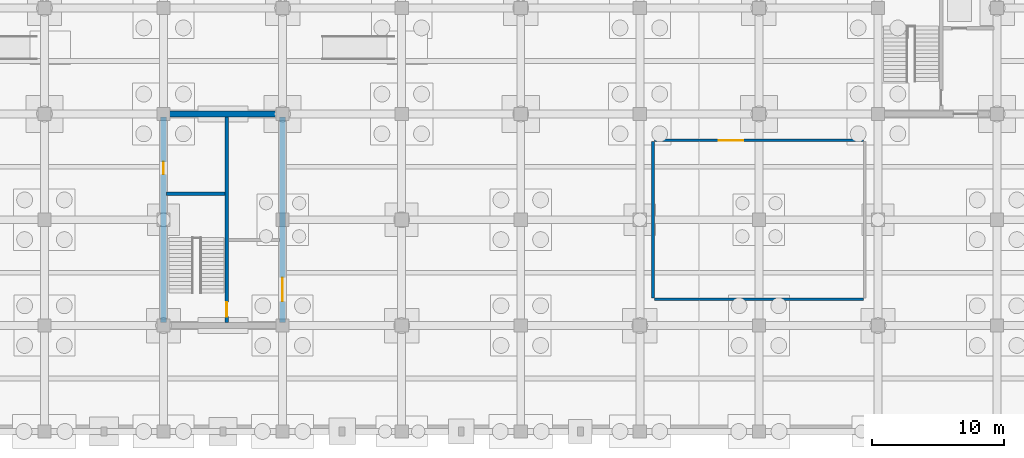
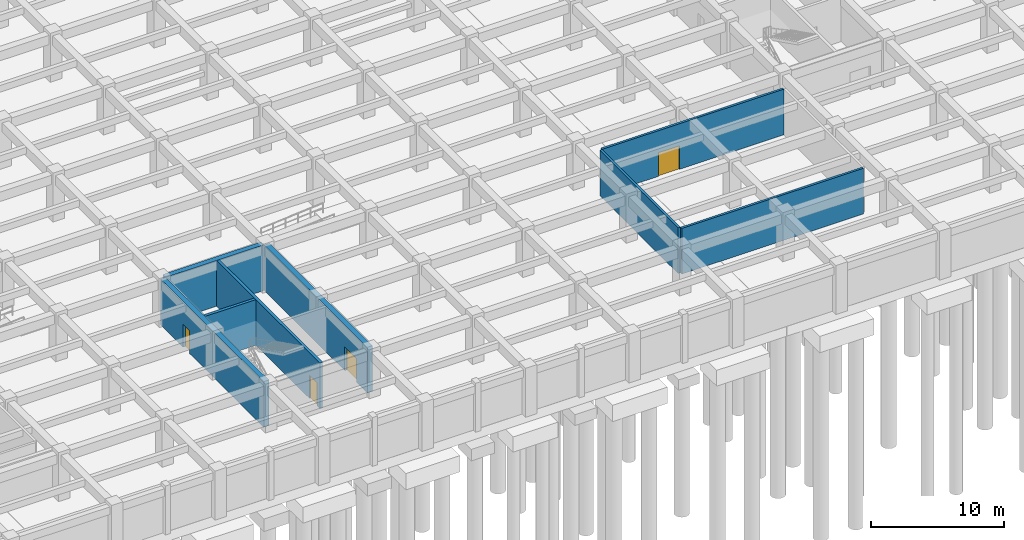
# One storey, part 20 of 31: 8 walls, 4 doors, 4 openings.
"""IFC4 building model written with IfcOpenShell, lengths in metres."""

from ifc_helpers import new_model, si_unit, direction, frame, frame_2d, origin, place, context, subcontext, project, spatial, rectangle, extrude, material, layer, layer_set, type_object, element, fill, save


model = new_model("IFC4")

# Units and contexts
model_context = context("Model", 3, precision=1e-05, world=origin(), true_north=direction((0.0, 1.0)))
body_context = subcontext(model_context, "Body", "Model", "MODEL_VIEW")
ifc_project = project(units=[si_unit("LENGTHUNIT", "METRE"), si_unit("AREAUNIT", "SQUARE_METRE"), si_unit("VOLUMEUNIT", "CUBIC_METRE"), si_unit("PLANEANGLEUNIT", "RADIAN"), si_unit("MASSUNIT", "GRAM", prefix="KILO")], contexts=[model_context])

# Site, building, storey
site_placement = place(None, origin())
site = spatial("IfcSite", under=ifc_project, at=site_placement, CompositionType="ELEMENT")
building_placement = place(site_placement, origin())
building = spatial("IfcBuilding", under=site, at=building_placement, Name="Zaverband Oceanarium and Marine Research Institute", CompositionType="ELEMENT")
storey_placement = place(building_placement, frame((0.0, 0.0, -9.0)))
storey = spatial("IfcBuildingStorey", under=building, at=storey_placement, Name="B2", CompositionType="ELEMENT", Elevation=-9.0)

# Wall
ifc_material_1 = material(Name="Concrete C50/60", Category="concrete")
ifc_layer_1 = layer(ifc_material_1, 0.449951171875, Name="Concrete C50/60")
ifc_layer_set_1 = layer_set([ifc_layer_1], Name="Concrete C50/60")
wall_type_1 = type_object("IfcWallType", Name="CW-02", PredefinedType="SHEAR", material=ifc_layer_set_1)
wall_1_placement = place(storey_placement, frame((81.22509765625, 24.0, 0.0), z_axis=(0.0, 0.0, 1.0), x_axis=(1.0, 0.0, 0.0)))
element("IfcWall", 1, at=wall_1_placement, inside=storey, type_object=wall_type_1, Name="Structural shear wall CW-02", PredefinedType="SHEAR", context=body_context, shape_type="SweptSolid", body=[
    extrude(rectangle(XDim=8.5498046875, YDim=0.449951171875, at=frame_2d((4.27490234375, 0.0))), origin(), (0.0, 0.0, 1.0), 4.199951171875),
])

# Wall, opening, door
wall_2_placement = place(storey_placement, frame((81.0, 8.22509765625, 0.0), z_axis=(0.0, 0.0, 1.0), x_axis=(0.0, 1.0, 0.0)))
wall_2 = element("IfcWall", 2, at=wall_2_placement, inside=storey, type_object=wall_type_1, Name="Structural shear wall CW-02", PredefinedType="SHEAR", context=body_context, shape_type="SweptSolid", body=[
    extrude(rectangle(XDim=15.5498046875, YDim=0.449951171875, at=frame_2d((7.77490234375, 0.0))), origin(), (0.0, 0.0, 1.0), 4.199951171875),
])
opening_1_placement = place(wall_2_placement, frame((11.199951171875, 0.0, 0.0)))
opening_1 = element("IfcOpeningElement", 3, at=opening_1_placement, cuts=wall_2, Name="Opening FD-03", PredefinedType="OPENING", context=body_context, shape_type="SweptSolid", body=[
    extrude(rectangle(XDim=0.949951171875, YDim=2.10009765625, at=frame_2d((0.47509765625, 1.050048828125))), frame((0.0, 0.23681640625, 0.0), z_axis=(0.0, -1.0, 0.0), x_axis=(1.0, 0.0, 0.0)), (0.0, 0.0, 1.0), 0.473876953125),
])
ifc_material_2 = material(Name="Steel S355", Category="steel")
door_type_1 = type_object("IfcDoorType", Name="FD-03", OperationType="NOTDEFINED", PredefinedType="DOOR", material=ifc_material_2)
door_1_placement = place(opening_1_placement, origin())
door_1 = element("IfcDoor", 4, at=door_1_placement, inside=storey, type_object=door_type_1, Name="Service riser access fire door FD-03", OperationType="SINGLE_SWING_RIGHT", OverallHeight=2.10009765625, OverallWidth=0.949951171875, PredefinedType="DOOR", context=body_context, shape_type="SweptSolid", body=[
    extrude(rectangle(XDim=0.949951171875, YDim=2.10009765625, at=frame_2d((0.47509765625, 1.050048828125))), frame((0.0, 0.02490234375, 0.0), z_axis=(0.0, -1.0, 0.0), x_axis=(1.0, 0.0, 0.0)), (0.0, 0.0, 1.0), 0.050048828125),
])
fill(opening_1, door_1)

wall_3_placement = place(storey_placement, frame((90.0, 8.22509765625, 0.0), z_axis=(0.0, 0.0, 1.0), x_axis=(0.0, 1.0, 0.0)))
wall_3 = element("IfcWall", 5, at=wall_3_placement, inside=storey, type_object=wall_type_1, Name="Structural shear wall CW-02", PredefinedType="SHEAR", context=body_context, shape_type="SweptSolid", body=[
    extrude(rectangle(XDim=15.5498046875, YDim=0.449951171875, at=frame_2d((7.77490234375, 0.0))), origin(), (0.0, 0.0, 1.0), 4.199951171875),
])
opening_2_placement = place(wall_3_placement, frame((1.60009765625, 0.0, 0.0)))
opening_2 = element("IfcOpeningElement", 6, at=opening_2_placement, cuts=wall_3, Name="Opening FD-02", PredefinedType="OPENING", context=body_context, shape_type="SweptSolid", body=[
    extrude(rectangle(XDim=1.800048828125, YDim=2.179931640625, at=frame_2d((0.89990234375, 1.08984375))), frame((0.0, 0.23681640625, 0.0), z_axis=(0.0, -1.0, 0.0), x_axis=(1.0, 0.0, 0.0)), (0.0, 0.0, 1.0), 0.473876953125),
])
door_type_2 = type_object("IfcDoorType", Name="FD-02", OperationType="DOUBLE_DOOR_SINGLE_SWING", PredefinedType="DOOR", material=ifc_material_2)
door_2_placement = place(opening_2_placement, origin())
door_2 = element("IfcDoor", 7, at=door_2_placement, inside=storey, type_object=door_type_2, Name="Protected lobby double fire door FD-02", OperationType="DOUBLE_DOOR_SINGLE_SWING", OverallHeight=2.179931640625, OverallWidth=1.800048828125, PredefinedType="DOOR", context=body_context, shape_type="SweptSolid", body=[
    extrude(rectangle(XDim=1.800048828125, YDim=2.179931640625, at=frame_2d((0.89990234375, 1.08984375))), frame((0.0, 0.02490234375, 0.0), z_axis=(0.0, -1.0, 0.0), x_axis=(1.0, 0.0, 0.0)), (0.0, 0.0, 1.0), 0.050048828125),
])
fill(opening_2, door_2)

# Wall
ifc_material_3 = material(Name="Fire-rated masonry compartment wall", Category="masonry")
ifc_layer_2 = layer(ifc_material_3, 0.199951171875, Name="Fire-rated masonry compartment wall")
ifc_layer_set_2 = layer_set([ifc_layer_2], Name="Fire-rated masonry compartment wall")
wall_type_2 = type_object("IfcWallType", Name="PT-200-FR", PredefinedType="PARTITIONING", material=ifc_layer_set_2)
wall_4_placement = place(storey_placement, frame((118.10009765625, 10.0, 0.0), z_axis=(0.0, 0.0, 1.0), x_axis=(1.0, 0.0, 0.0)))
element("IfcWall", 8, at=wall_4_placement, inside=storey, type_object=wall_type_2, Name="Internal partition PT-200-FR", PredefinedType="PARTITIONING", context=body_context, shape_type="SweptSolid", body=[
    extrude(rectangle(XDim=15.7998046875, YDim=0.199951171875, at=frame_2d((7.89990234375, 0.0))), origin(), (0.0, 0.0, 1.0), 4.199951171875),
])

# Wall, opening, door
wall_5_placement = place(storey_placement, frame((118.10009765625, 22.0, 0.0), z_axis=(0.0, 0.0, 1.0), x_axis=(1.0, 0.0, 0.0)))
wall_5 = element("IfcWall", 9, at=wall_5_placement, inside=storey, type_object=wall_type_2, Name="Internal partition PT-200-FR", PredefinedType="PARTITIONING", context=body_context, shape_type="SweptSolid", body=[
    extrude(rectangle(XDim=15.7998046875, YDim=0.199951171875, at=frame_2d((7.89990234375, 0.0))), origin(), (0.0, 0.0, 1.0), 4.199951171875),
])
opening_3_placement = place(wall_5_placement, frame((4.882568359375, 0.0, 0.0)))
opening_3 = element("IfcOpeningElement", 10, at=opening_3_placement, cuts=wall_5, Name="Opening ID-1850x2180", PredefinedType="OPENING", context=body_context, shape_type="SweptSolid", body=[
    extrude(rectangle(XDim=1.85009765625, YDim=2.179931640625, at=frame_2d((0.925048828125, 1.08984375))), frame((0.0, 0.11181640625, 0.0), z_axis=(0.0, -1.0, 0.0), x_axis=(1.0, 0.0, 0.0)), (0.0, 0.0, 1.0), 0.223876953125),
])
door_type_3 = type_object("IfcDoorType", Name="ID-1850x2180", OperationType="DOUBLE_DOOR_SINGLE_SWING", PredefinedType="DOOR", material=ifc_material_2)
door_3_placement = place(opening_3_placement, origin())
door_3 = element("IfcDoor", 11, at=door_3_placement, inside=storey, type_object=door_type_3, Name="Life support plant double equipment door ID-1850x2180", OperationType="DOUBLE_DOOR_SINGLE_SWING", OverallHeight=2.179931640625, OverallWidth=1.85009765625, PredefinedType="DOOR", context=body_context, shape_type="SweptSolid", body=[
    extrude(rectangle(XDim=1.85009765625, YDim=2.179931640625, at=frame_2d((0.925048828125, 1.08984375))), frame((0.0, 0.02490234375, 0.0), z_axis=(0.0, -1.0, 0.0), x_axis=(1.0, 0.0, 0.0)), (0.0, 0.0, 1.0), 0.050048828125),
])
fill(opening_3, door_3)

# Wall
wall_6_placement = place(storey_placement, frame((118.0, 10.10009765625, 0.0), z_axis=(0.0, 0.0, 1.0), x_axis=(0.0, 1.0, 0.0)))
element("IfcWall", 12, at=wall_6_placement, inside=storey, type_object=wall_type_2, Name="Internal partition PT-200-FR", PredefinedType="PARTITIONING", context=body_context, shape_type="SweptSolid", body=[
    extrude(rectangle(XDim=11.7998046875, YDim=0.199951171875, at=frame_2d((5.89990234375, 0.0))), origin(), (0.0, 0.0, 1.0), 4.199951171875),
])

# Wall, opening, door
ifc_layer_3 = layer(ifc_material_1, 0.25, Name="Concrete C50/60")
ifc_layer_set_3 = layer_set([ifc_layer_3], Name="Concrete C50/60")
wall_type_3 = type_object("IfcWallType", Name="PW-CORE-250", PredefinedType="SOLIDWALL", material=ifc_layer_set_3)
wall_7_placement = place(storey_placement, frame((85.77490234375, 8.22509765625, 0.0), z_axis=(0.0, 0.0, 1.0), x_axis=(0.0, 1.0, 0.0)))
wall_7 = element("IfcWall", 13, at=wall_7_placement, inside=storey, type_object=wall_type_3, Name="Structural concrete wall PW-CORE-250", PredefinedType="SOLIDWALL", context=body_context, shape_type="SweptSolid", body=[
    extrude(rectangle(XDim=15.5498046875, YDim=0.25, at=frame_2d((7.77490234375, 0.0))), origin(), (0.0, 0.0, 1.0), 4.199951171875),
])
opening_4_placement = place(wall_7_placement, frame((0.449951171875, 0.0, 0.0)))
opening_4 = element("IfcOpeningElement", 14, at=opening_4_placement, cuts=wall_7, Name="Opening FD-01", PredefinedType="OPENING", context=body_context, shape_type="SweptSolid", body=[
    extrude(rectangle(XDim=1.10009765625, YDim=2.14990234375, at=frame_2d((0.550048828125, 1.074951171875))), frame((0.0, 0.136962890625, 0.0), z_axis=(0.0, -1.0, 0.0), x_axis=(1.0, 0.0, 0.0)), (0.0, 0.0, 1.0), 0.27392578125),
])
door_type_4 = type_object("IfcDoorType", Name="FD-01", OperationType="NOTDEFINED", PredefinedType="DOOR", material=ifc_material_2)
door_4_placement = place(opening_4_placement, origin())
door_4 = element("IfcDoor", 15, at=door_4_placement, inside=storey, type_object=door_type_4, Name="Core stair / lobby fire door FD-01", OperationType="SINGLE_SWING_LEFT", OverallHeight=2.14990234375, OverallWidth=1.10009765625, PredefinedType="DOOR", context=body_context, shape_type="SweptSolid", body=[
    extrude(rectangle(XDim=1.10009765625, YDim=2.14990234375, at=frame_2d((0.550048828125, 1.074951171875))), frame((0.0, 0.02490234375, 0.0), z_axis=(0.0, -1.0, 0.0), x_axis=(1.0, 0.0, 0.0)), (0.0, 0.0, 1.0), 0.050048828125),
])
fill(opening_4, door_4)

# Wall
wall_8_placement = place(storey_placement, frame((81.22509765625, 17.97509765625, 0.0), z_axis=(0.0, 0.0, 1.0), x_axis=(1.0, 0.0, 0.0)))
element("IfcWall", 16, at=wall_8_placement, inside=storey, type_object=wall_type_3, Name="Structural concrete wall PW-CORE-250", PredefinedType="SOLIDWALL", context=body_context, shape_type="SweptSolid", body=[
    extrude(rectangle(XDim=4.419921875, YDim=0.25, at=frame_2d((2.2099609375, 0.0))), origin(), (0.0, 0.0, 1.0), 4.199951171875),
])

save(model, "model.ifc")
